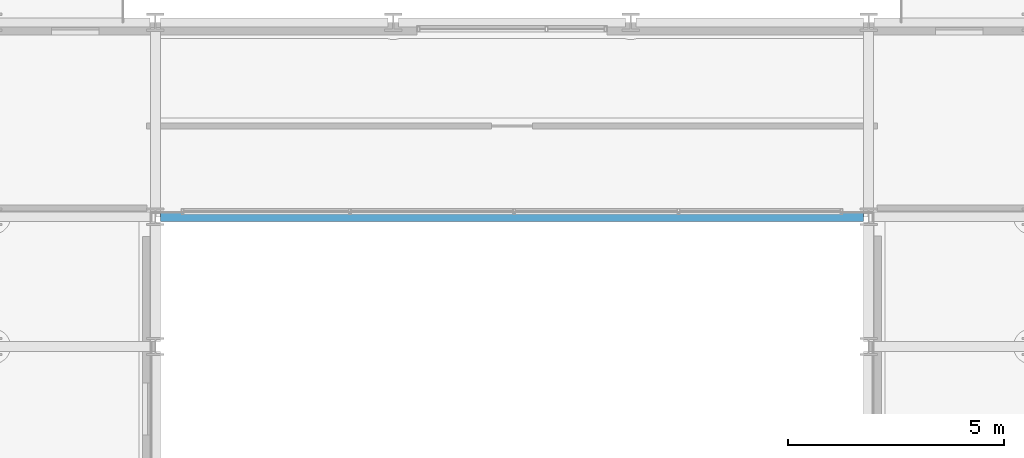
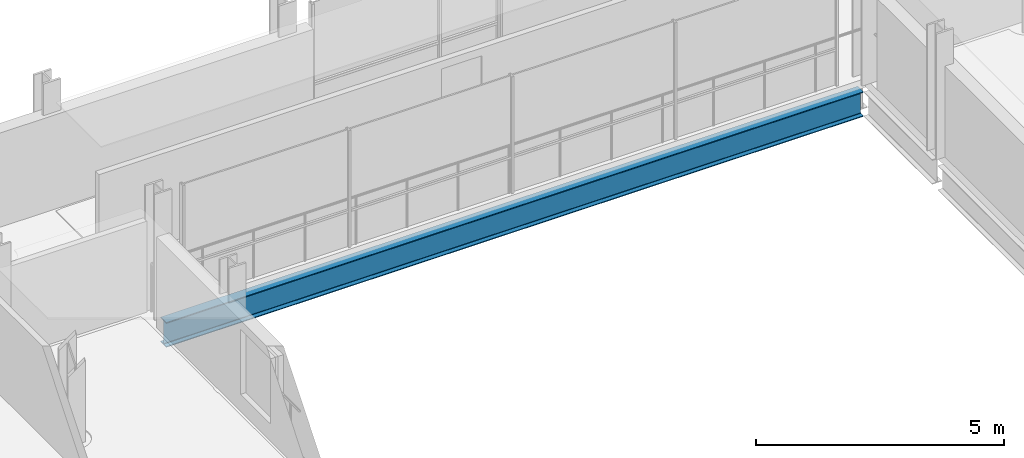
# One storey, part 12 of 41: 1 beam.
"""IFC4 building model written with IfcOpenShell, lengths in metres."""

from ifc_helpers import new_model, si_unit, direction, frame, origin, origin_2d, place, context, subcontext, project, spatial, i_section, extrude, material, material_profile, profile_set, type_object, element, save


model = new_model("IFC4")

# Units and contexts
model_context = context("Model", 3, precision=1e-05, world=origin(), true_north=direction((0.0, 1.0)))
body_context = subcontext(model_context, "Body", "Model", "MODEL_VIEW")
ifc_project = project(units=[si_unit("LENGTHUNIT", "METRE"), si_unit("AREAUNIT", "SQUARE_METRE"), si_unit("VOLUMEUNIT", "CUBIC_METRE"), si_unit("PLANEANGLEUNIT", "RADIAN"), si_unit("MASSUNIT", "GRAM", prefix="KILO")], contexts=[model_context])

# Site, building, storey
site_placement = place(None, origin())
site = spatial("IfcSite", under=ifc_project, at=site_placement, CompositionType="ELEMENT")
building_placement = place(site_placement, origin())
building = spatial("IfcBuilding", under=site, at=building_placement, Name="Brevholm Reach", CompositionType="ELEMENT")
storey_placement = place(building_placement, frame((0.0, 0.0, 138.699951171875)))
storey = spatial("IfcBuildingStorey", under=building, at=storey_placement, Name="L41", CompositionType="ELEMENT", Elevation=138.699951171875)

# Beam
ifc_material = material(Name="Structural Steel S355J2", Category="steel")
ifc_material_profile = material_profile(ifc_material, i_section(OverallWidth=0.22900390625, OverallDepth=0.6123046875, WebThickness=0.011962890625, FlangeThickness=0.01953125, FilletRadius=0.0126953125, at=origin_2d()), Name="UKB 610x229x125")
ifc_profile_set = profile_set([ifc_material_profile], Name="Structural Steel S355J2")
beam_type = type_object("IfcBeamType", Name="BM-SP610", PredefinedType="SPANDREL", material=ifc_profile_set)
beam_placement = place(storey_placement, frame((21.8701171875, 26.5, -0.526123046875), z_axis=(1.0, 0.0, 0.0), x_axis=(0.0, 1.0, 0.0)))
element("IfcBeam", 1, at=beam_placement, inside=storey, type_object=beam_type, Name="L41 SP-01 Framing Beam", PredefinedType="SPANDREL", context=body_context, shape_type="SweptSolid", body=[
    extrude(i_section(OverallWidth=0.22900390625, OverallDepth=0.6123046875, WebThickness=0.011962890625, FlangeThickness=0.01953125, FilletRadius=0.0126953125, at=origin_2d()), origin(), (0.0, 0.0, 1.0), 16.259765625),
])

save(model, "model.ifc")
